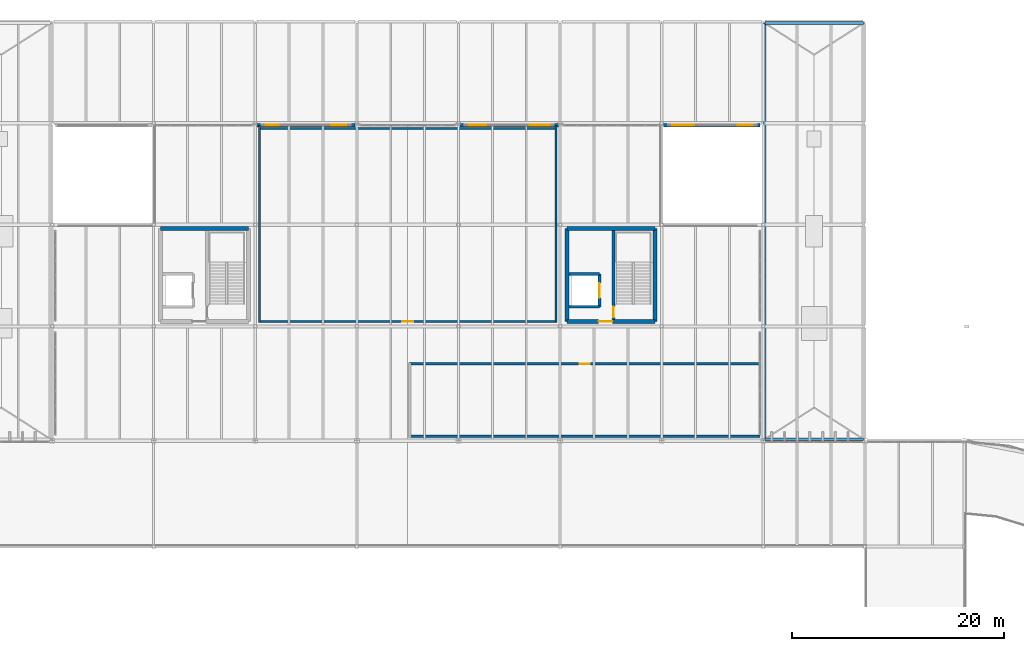
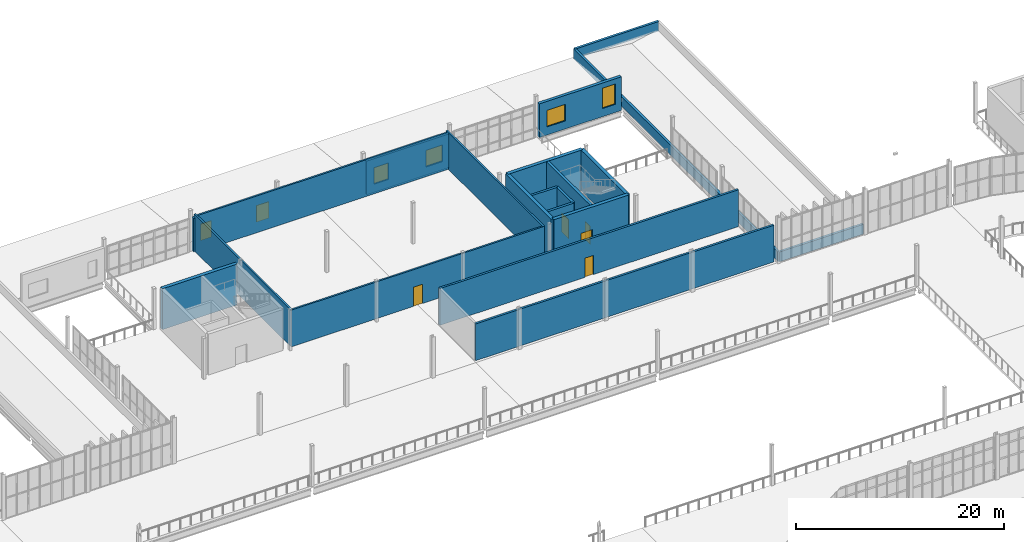
# One storey, part 95 of 112: 21 walls, 6 windows, 5 doors, 11 openings.
"""IFC4 building model written with IfcOpenShell, lengths in metres."""

from ifc_helpers import new_model, si_unit, direction, frame, frame_2d, origin, place, context, subcontext, project, spatial, rectangle, extrude, material, layer, layer_set, type_object, element, fill, save


model = new_model("IFC4")

# Units and contexts
model_context = context("Model", 3, precision=1e-05, world=origin(), true_north=direction((0.0, 1.0)))
body_context = subcontext(model_context, "Body", "Model", "MODEL_VIEW")
ifc_project = project(units=[si_unit("LENGTHUNIT", "METRE"), si_unit("AREAUNIT", "SQUARE_METRE"), si_unit("VOLUMEUNIT", "CUBIC_METRE"), si_unit("PLANEANGLEUNIT", "RADIAN"), si_unit("MASSUNIT", "GRAM", prefix="KILO")], contexts=[model_context])

# Site, building, storey
site_placement = place(None, origin())
site = spatial("IfcSite", under=ifc_project, at=site_placement, CompositionType="ELEMENT")
building_placement = place(site_placement, origin())
building = spatial("IfcBuilding", under=site, at=building_placement, Name="Yeouljin Market Hall", CompositionType="ELEMENT")
storey_placement = place(building_placement, frame((0.0, 0.0, 6.0)))
storey = spatial("IfcBuildingStorey", under=building, at=storey_placement, Name="L01", CompositionType="ELEMENT", Elevation=6.0)

# Wall, opening, door
ifc_material_1 = material(Name="Insulated Cold-Store Panel Assembly")
ifc_layer_1 = layer(ifc_material_1, 0.239990234375)
ifc_layer_set_1 = layer_set([ifc_layer_1], Name="Insulated Cold-Store Panel Assembly")
wall_type_1 = type_object("IfcWallType", Name="Part_ColdStore_240", PredefinedType="PARTITIONING", material=ifc_layer_set_1)
wall_1_placement = place(storey_placement, frame((121.5, 85.25, 0.0), z_axis=(0.0, 0.0, 1.0), x_axis=(-1.0, 0.0, 0.0)))
wall_1 = element("IfcWall", 1, at=wall_1_placement, inside=storey, type_object=wall_type_1, Name="Interior partition PART-L01-0098", PredefinedType="PARTITIONING", context=body_context, shape_type="SweptSolid", body=[
    extrude(rectangle(XDim=33.179931640625, YDim=0.239990234375, at=frame_2d((16.58984375, 0.0))), origin(), (0.0, 0.0, 1.0), 4.320068359375),
])
opening_1_placement = place(wall_1_placement, frame((16.1201171875, 0.0, 0.0)))
opening_1 = element("IfcOpeningElement", 2, at=opening_1_placement, cuts=wall_1, Name="Opening D-L01-031", PredefinedType="OPENING", context=body_context, shape_type="SweptSolid", body=[
    extrude(rectangle(XDim=0.93994140625, YDim=2.260009765625, at=frame_2d((0.469970703125, 1.1298828125))), frame((0.0, 0.1298828125, 0.0), z_axis=(0.0, -1.0, 0.0), x_axis=(1.0, 0.0, 0.0)), (0.0, 0.0, 1.0), 0.260009765625),
])
ifc_material_2 = material(Name="Painted Fire-Rated Steel", Category="steel")
door_type_1 = type_object("IfcDoorType", Name="DT-FD094M", OperationType="NOTDEFINED", PredefinedType="DOOR", material=ifc_material_2)
door_1_placement = place(opening_1_placement, origin())
door_1 = element("IfcDoor", 3, at=door_1_placement, inside=storey, type_object=door_type_1, Name="Interior door D-L01-031 (Dry Spice Cold Store)", OperationType="SINGLE_SWING_LEFT", OverallHeight=2.260009765625, OverallWidth=0.93994140625, PredefinedType="DOOR", context=body_context, shape_type="SweptSolid", body=[
    extrude(rectangle(XDim=0.93994140625, YDim=2.260009765625, at=frame_2d((0.469970703125, 1.1298828125))), frame((0.0, 0.02490234375, 0.0), z_axis=(0.0, -1.0, 0.0), x_axis=(1.0, 0.0, 0.0)), (0.0, 0.0, 1.0), 0.050048828125),
])
fill(opening_1, door_1)

# Wall
wall_2_placement = place(storey_placement, frame((88.320068359375, 78.39990234375, 0.0), z_axis=(0.0, 0.0, 1.0), x_axis=(1.0, 0.0, 0.0)))
element("IfcWall", 4, at=wall_2_placement, inside=storey, type_object=wall_type_1, Name="Interior partition PART-L01-0100", PredefinedType="PARTITIONING", context=body_context, shape_type="SweptSolid", body=[
    extrude(rectangle(XDim=33.159912109375, YDim=0.239990234375, at=frame_2d((16.580078125, 0.0))), origin(), (0.0, 0.0, 1.0), 4.320068359375),
])

# Wall, opening, door
ifc_material_3 = material(Name="Ceramic-Faced Acoustic Partition")
ifc_layer_2 = layer(ifc_material_3, 0.18994140625)
ifc_layer_set_2 = layer_set([ifc_layer_2], Name="Ceramic-Faced Acoustic Partition")
wall_type_2 = type_object("IfcWallType", Name="Part_KitchenTile_190", PredefinedType="PARTITIONING", material=ifc_layer_set_2)
wall_3_placement = place(storey_placement, frame((74.1201171875, 89.25, 0.0), z_axis=(0.0, 0.0, 1.0), x_axis=(1.0, 0.0, 0.0)))
wall_3 = element("IfcWall", 5, at=wall_3_placement, inside=storey, type_object=wall_type_2, Name="Interior partition PART-L01-0101", PredefinedType="PARTITIONING", context=body_context, shape_type="SweptSolid", body=[
    extrude(rectangle(XDim=28.159912109375, YDim=0.18994140625, at=frame_2d((14.080078125, 0.0))), origin(), (0.0, 0.0, 1.0), 4.320068359375),
])
opening_2_placement = place(wall_3_placement, frame((13.56005859375, 0.0, 0.0)))
opening_2 = element("IfcOpeningElement", 6, at=opening_2_placement, cuts=wall_3, Name="Opening D-L01-032", PredefinedType="OPENING", context=body_context, shape_type="SweptSolid", body=[
    extrude(rectangle(XDim=1.0400390625, YDim=2.260009765625, at=frame_2d((0.52001953125, 1.1298828125))), frame((0.0, 0.10498046875, 0.0), z_axis=(0.0, -1.0, 0.0), x_axis=(1.0, 0.0, 0.0)), (0.0, 0.0, 1.0), 0.2099609375),
])
ifc_material_4 = material(Name="Painted Fire-Rated Steel", Category="steel")
door_type_2 = type_object("IfcDoorType", Name="DT-FD104M", OperationType="NOTDEFINED", PredefinedType="DOOR", material=ifc_material_4)
door_2_placement = place(opening_2_placement, origin())
door_2 = element("IfcDoor", 7, at=door_2_placement, inside=storey, type_object=door_type_2, Name="Interior door D-L01-032 (Merchants Quality Testing Laboratory)", OperationType="SINGLE_SWING_RIGHT", OverallHeight=2.260009765625, OverallWidth=1.0400390625, PredefinedType="DOOR", context=body_context, shape_type="SweptSolid", body=[
    extrude(rectangle(XDim=1.0400390625, YDim=2.260009765625, at=frame_2d((0.52001953125, 1.1298828125))), frame((0.0, 0.02490234375, 0.0), z_axis=(0.0, -1.0, 0.0), x_axis=(1.0, 0.0, 0.0)), (0.0, 0.0, 1.0), 0.050048828125),
])
fill(opening_2, door_2)

# Walls
for number, where, z_axis, x_axis, name in (
    (8, (102.199951171875, 89.169921875, 0.0), (0.0, 0.0, 1.0), (0.0, 1.0, 0.0), "Interior partition PART-L01-0102"),
    (9, (74.199951171875, 107.800048828125, 0.0), (0.0, 0.0, 1.0), (0.0, -1.0, 0.0), "Interior partition PART-L01-0103"),
):
    element("IfcWall", number, at=place(storey_placement, frame(where, z_axis=z_axis, x_axis=x_axis)), inside=storey, type_object=wall_type_2, Name=name, PredefinedType="PARTITIONING", context=body_context, shape_type="SweptSolid", body=[
        extrude(rectangle(XDim=18.630126953125, YDim=0.18994140625, at=frame_2d((9.31494140625, 0.0))), origin(), (0.0, 0.0, 1.0), 4.320068359375),
    ])
wall_4_placement = place(storey_placement, frame((102.280029296875, 107.5, 0.0), z_axis=(0.0, 0.0, 1.0), x_axis=(-1.0, 0.0, 0.0)))
element("IfcWall", 10, at=wall_4_placement, inside=storey, type_object=wall_type_2, Name="Interior partition PART-L01-0104", PredefinedType="PARTITIONING", context=body_context, shape_type="SweptSolid", body=[
    extrude(rectangle(XDim=28.159912109375, YDim=0.18994140625, at=frame_2d((14.080078125, 0.0))), origin(), (0.0, 0.0, 1.0), 4.320068359375),
])

# Wall, opening, door
ifc_material_5 = material(Name="Concrete C35/45", Category="concrete")
ifc_layer_3 = layer(ifc_material_5, 0.260009765625)
ifc_layer_set_3 = layer_set([ifc_layer_3], Name="Concrete C35/45")
wall_type_3 = type_object("IfcWallType", Name="Wall_Compartment_260", PredefinedType="SHEAR", material=ifc_layer_set_3)
wall_5_placement = place(storey_placement, frame((106.330078125, 90.64990234375, 0.0), z_axis=(0.0, 0.0, 1.0), x_axis=(0.0, 1.0, 0.0)))
wall_5 = element("IfcWall", 11, at=wall_5_placement, inside=storey, type_object=wall_type_3, Name="Lift LG-02 hoistway front wall (L01)", PredefinedType="SHEAR", context=body_context, shape_type="SweptSolid", body=[
    extrude(rectangle(XDim=3.10009765625, YDim=0.260009765625, at=frame_2d((1.550048828125, 0.0))), origin(), (0.0, 0.0, 1.0), 4.800048828125),
])
opening_3_placement = place(wall_5_placement, frame((0.85009765625, 0.0, 0.0)))
opening_3 = element("IfcOpeningElement", 12, at=opening_3_placement, cuts=wall_5, Name="Opening LD-LG-02-L01", PredefinedType="OPENING", context=body_context, shape_type="SweptSolid", body=[
    extrude(rectangle(XDim=1.39990234375, YDim=2.25, at=frame_2d((0.699951171875, 1.125))), frame((0.0, 0.139892578125, 0.0), z_axis=(0.0, -1.0, 0.0), x_axis=(1.0, 0.0, 0.0)), (0.0, 0.0, 1.0), 0.280029296875),
])
ifc_material_6 = material(Name="Brushed Stainless Steel", Category="steel")
door_type_3 = type_object("IfcDoorType", Name="LD-140", OperationType="SLIDING_TO_RIGHT", PredefinedType="DOOR", material=ifc_material_6)
door_3_placement = place(opening_3_placement, origin())
door_3 = element("IfcDoor", 13, at=door_3_placement, inside=storey, type_object=door_type_3, Name="Lift landing sliding door LD-LG-02-L01", OperationType="SLIDING_TO_RIGHT", OverallHeight=2.25, OverallWidth=1.39990234375, PredefinedType="DOOR", context=body_context, shape_type="SweptSolid", body=[
    extrude(rectangle(XDim=1.39990234375, YDim=2.25, at=frame_2d((0.699951171875, 1.125))), frame((0.0, 0.02490234375, 0.0), z_axis=(0.0, -1.0, 0.0), x_axis=(1.0, 0.0, 0.0)), (0.0, 0.0, 1.0), 0.050048828125),
])
fill(opening_3, door_3)

# Walls
for number, where, z_axis, x_axis, name in (
    (14, (103.449951171875, 90.64990234375, 0.0), (0.0, 0.0, 1.0), (1.0, 0.0, 0.0), "Lift LG-02 shaft cheek wall S (L01)"),
    (15, (103.449951171875, 93.75, 0.0), (0.0, 0.0, 1.0), (1.0, 0.0, 0.0), "Lift LG-02 shaft cheek wall N (L01)"),
):
    element("IfcWall", number, at=place(storey_placement, frame(where, z_axis=z_axis, x_axis=x_axis)), inside=storey, type_object=wall_type_3, Name=name, PredefinedType="SHEAR", context=body_context, shape_type="SweptSolid", body=[
        extrude(rectangle(XDim=2.880126953125, YDim=0.260009765625, at=frame_2d((1.43994140625, 0.0))), origin(), (0.0, 0.0, 1.0), 4.800048828125),
    ])
ifc_material_7 = material(Name="Concrete C35/45", Category="concrete")
ifc_layer_4 = layer(ifc_material_7, 0.3798828125)
ifc_layer_set_4 = layer_set([ifc_layer_4], Name="Concrete C35/45")
wall_type_4 = type_object("IfcWallType", Name="Wall_CoreShear_380", PredefinedType="SHEAR", material=ifc_layer_set_4)
wall_6_placement = place(storey_placement, frame((73.14990234375, 98.050048828125, 0.0), z_axis=(0.0, 0.0, 1.0), x_axis=(-1.0, 0.0, 0.0)))
element("IfcWall", 16, at=wall_6_placement, inside=storey, type_object=wall_type_4, Name="Core C5 north shear wall (L01)", PredefinedType="SHEAR", context=body_context, shape_type="SweptSolid", body=[
    extrude(rectangle(XDim=8.2998046875, YDim=0.3798828125, at=frame_2d((4.14990234375, 0.0))), origin(), (0.0, 0.0, 1.0), 4.800048828125),
])

# Wall, opening, door
wall_7_placement = place(storey_placement, frame((103.25, 89.25, 0.0), z_axis=(0.0, 0.0, 1.0), x_axis=(1.0, 0.0, 0.0)))
wall_7 = element("IfcWall", 17, at=wall_7_placement, inside=storey, type_object=wall_type_4, Name="Core C6 south shear wall (L01)", PredefinedType="SHEAR", context=body_context, shape_type="SweptSolid", body=[
    extrude(rectangle(XDim=8.300048828125, YDim=0.3798828125, at=frame_2d((4.14990234375, 0.0))), origin(), (0.0, 0.0, 1.0), 4.800048828125),
])
opening_4_placement = place(wall_7_placement, frame((3.0, 0.0, 0.0)))
opening_4 = element("IfcOpeningElement", 18, at=opening_4_placement, cuts=wall_7, Name="Opening FD-C6-L01-01", PredefinedType="OPENING", context=body_context, shape_type="SweptSolid", body=[
    extrude(rectangle(XDim=1.280029296875, YDim=2.14990234375, at=frame_2d((0.64013671875, 1.074951171875))), frame((0.0, 0.199951171875, 0.0), z_axis=(0.0, -1.0, 0.0), x_axis=(1.0, 0.0, 0.0)), (0.0, 0.0, 1.0), 0.39990234375),
])
ifc_material_8 = material(Name="Painted Fire-Rated Steel", Category="steel")
door_type_4 = type_object("IfcDoorType", Name="DT-FD128", OperationType="NOTDEFINED", PredefinedType="DOOR", material=ifc_material_8)
door_4_placement = place(opening_4_placement, origin())
door_4 = element("IfcDoor", 19, at=door_4_placement, inside=storey, type_object=door_type_4, Name="Core C6 lobby fire door (L01)", OperationType="SINGLE_SWING_LEFT", OverallHeight=2.14990234375, OverallWidth=1.280029296875, PredefinedType="DOOR", context=body_context, shape_type="SweptSolid", body=[
    extrude(rectangle(XDim=1.280029296875, YDim=2.14990234375, at=frame_2d((0.64013671875, 1.074951171875))), frame((0.0, 0.02490234375, 0.0), z_axis=(0.0, -1.0, 0.0), x_axis=(1.0, 0.0, 0.0)), (0.0, 0.0, 1.0), 0.050048828125),
])
fill(opening_4, door_4)

# Walls
wall_8_placement = place(storey_placement, frame((111.550048828125, 98.050048828125, 0.0), z_axis=(0.0, 0.0, 1.0), x_axis=(-1.0, 0.0, 0.0)))
element("IfcWall", 20, at=wall_8_placement, inside=storey, type_object=wall_type_4, Name="Core C6 north shear wall (L01)", PredefinedType="SHEAR", context=body_context, shape_type="SweptSolid", body=[
    extrude(rectangle(XDim=8.300048828125, YDim=0.3798828125, at=frame_2d((4.14990234375, 0.0))), origin(), (0.0, 0.0, 1.0), 4.800048828125),
])
for number, where, z_axis, x_axis, name in (
    (21, (103.25, 98.050048828125, 0.0), (0.0, 0.0, 1.0), (0.0, -1.0, 0.0), "Core C6 west shear wall (L01)"),
    (22, (111.550048828125, 89.25, 0.0), (0.0, 0.0, 1.0), (0.0, 1.0, 0.0), "Core C6 east shear wall (L01)"),
):
    element("IfcWall", number, at=place(storey_placement, frame(where, z_axis=z_axis, x_axis=x_axis)), inside=storey, type_object=wall_type_4, Name=name, PredefinedType="SHEAR", context=body_context, shape_type="SweptSolid", body=[
        extrude(rectangle(XDim=8.800048828125, YDim=0.3798828125, at=frame_2d((4.39990234375, 0.0))), origin(), (0.0, 0.0, 1.0), 4.800048828125),
    ])

# Wall, openings, windows
ifc_material_9 = material(Name="Clinker Brick Masonry F2-S2", Category="masonry")
ifc_layer_5 = layer(ifc_material_9, 0.330078125)
ifc_layer_set_5 = layer_set([ifc_layer_5], Name="Clinker Brick Masonry F2-S2")
wall_type_5 = type_object("IfcWallType", Name="Wall_Ext_ClinkerCavity_330", PredefinedType="SOLIDWALL", material=ifc_layer_set_5)
wall_9_placement = place(storey_placement, frame((73.9580078125, 107.800048828125, 0.0), z_axis=(0.0, 0.0, 1.0), x_axis=(1.0, 0.0, 0.0)))
wall_9 = element("IfcWall", 23, at=wall_9_placement, inside=storey, type_object=wall_type_5, Name="Exterior wall WE-L01-B19", PredefinedType="SOLIDWALL", context=body_context, shape_type="SweptSolid", body=[
    extrude(rectangle(XDim=9.285888671875, YDim=0.330078125, at=frame_2d((4.64306640625, 0.0))), origin(), (0.0, 0.0, 1.0), 3.949951171875),
])
opening_5_placement = place(wall_9_placement, frame((0.842041015625, 0.0, 0.949951171875)))
opening_5 = element("IfcOpeningElement", 24, at=opening_5_placement, cuts=wall_9, Name="Opening WN-48", PredefinedType="OPENING", context=body_context, shape_type="SweptSolid", body=[
    extrude(rectangle(XDim=1.199951171875, YDim=1.949951171875, at=frame_2d((0.60009765625, 0.97509765625))), frame((0.0, 0.175048828125, 0.0), z_axis=(0.0, -1.0, 0.0), x_axis=(1.0, 0.0, 0.0)), (0.0, 0.0, 1.0), 0.35009765625),
])
opening_6_placement = place(wall_9_placement, frame((7.0419921875, 0.0, 0.949951171875)))
opening_6 = element("IfcOpeningElement", 25, at=opening_6_placement, cuts=wall_9, Name="Opening WN-49", PredefinedType="OPENING", context=body_context, shape_type="SweptSolid", body=[
    extrude(rectangle(XDim=1.39990234375, YDim=1.949951171875, at=frame_2d((0.699951171875, 0.97509765625))), frame((0.0, 0.175048828125, 0.0), z_axis=(0.0, -1.0, 0.0), x_axis=(1.0, 0.0, 0.0)), (0.0, 0.0, 1.0), 0.35009765625),
])
ifc_material_10 = material(Name="Low-E Insulated Glass", Category="glass")
window_type_1 = type_object("IfcWindowType", Name="Win_Ladder_1200x1950", PartitioningType="DOUBLE_PANEL_HORIZONTAL", PredefinedType="WINDOW", material=ifc_material_10)
window_1_placement = place(opening_5_placement, origin())
window_1 = element("IfcWindow", 26, at=window_1_placement, inside=storey, type_object=window_type_1, Name="Exterior window WIN-L01-B19A", OverallHeight=1.949951171875, OverallWidth=1.199951171875, PartitioningType="SINGLE_PANEL", PredefinedType="WINDOW", context=body_context, shape_type="SweptSolid", body=[
    extrude(rectangle(XDim=1.199951171875, YDim=1.949951171875, at=frame_2d((0.60009765625, 0.97509765625))), frame((0.0, 0.030029296875, 0.0), z_axis=(0.0, -1.0, 0.0), x_axis=(1.0, 0.0, 0.0)), (0.0, 0.0, 1.0), 0.06005859375),
])
fill(opening_5, window_1)
ifc_material_11 = material(Name="Low-E Insulated Glass", Category="glass")
window_type_2 = type_object("IfcWindowType", Name="Win_Ladder_1400x1950", PartitioningType="DOUBLE_PANEL_HORIZONTAL", PredefinedType="WINDOW", material=ifc_material_11)
window_2_placement = place(opening_6_placement, origin())
window_2 = element("IfcWindow", 27, at=window_2_placement, inside=storey, type_object=window_type_2, Name="Exterior window WIN-L01-B19B", OverallHeight=1.949951171875, OverallWidth=1.39990234375, PartitioningType="SINGLE_PANEL", PredefinedType="WINDOW", context=body_context, shape_type="SweptSolid", body=[
    extrude(rectangle(XDim=1.39990234375, YDim=1.949951171875, at=frame_2d((0.699951171875, 0.97509765625))), frame((0.0, 0.030029296875, 0.0), z_axis=(0.0, -1.0, 0.0), x_axis=(1.0, 0.0, 0.0)), (0.0, 0.0, 1.0), 0.06005859375),
])
fill(opening_6, window_2)

wall_10_placement = place(storey_placement, frame((93.157958984375, 107.800048828125, 0.0), z_axis=(0.0, 0.0, 1.0), x_axis=(1.0, 0.0, 0.0)))
wall_10 = element("IfcWall", 28, at=wall_10_placement, inside=storey, type_object=wall_type_5, Name="Exterior wall WE-L01-B21", PredefinedType="SOLIDWALL", context=body_context, shape_type="SweptSolid", body=[
    extrude(rectangle(XDim=9.283935546875, YDim=0.330078125, at=frame_2d((4.64208984375, 0.0))), origin(), (0.0, 0.0, 1.0), 3.949951171875),
])
opening_7_placement = place(wall_10_placement, frame((0.842041015625, 0.0, 0.949951171875)))
opening_7 = element("IfcOpeningElement", 29, at=opening_7_placement, cuts=wall_10, Name="Opening WN-50", PredefinedType="OPENING", context=body_context, shape_type="SweptSolid", body=[
    extrude(rectangle(XDim=1.60009765625, YDim=1.949951171875, at=frame_2d((0.800048828125, 0.97509765625))), frame((0.0, 0.175048828125, 0.0), z_axis=(0.0, -1.0, 0.0), x_axis=(1.0, 0.0, 0.0)), (0.0, 0.0, 1.0), 0.35009765625),
])
opening_8_placement = place(wall_10_placement, frame((6.592041015625, 0.0, 0.949951171875)))
opening_8 = element("IfcOpeningElement", 30, at=opening_8_placement, cuts=wall_10, Name="Opening WN-51", PredefinedType="OPENING", context=body_context, shape_type="SweptSolid", body=[
    extrude(rectangle(XDim=1.85009765625, YDim=1.949951171875, at=frame_2d((0.925048828125, 0.97509765625))), frame((0.0, 0.175048828125, 0.0), z_axis=(0.0, -1.0, 0.0), x_axis=(1.0, 0.0, 0.0)), (0.0, 0.0, 1.0), 0.35009765625),
])
ifc_material_12 = material(Name="Low-E Insulated Glass", Category="glass")
window_type_3 = type_object("IfcWindowType", Name="Win_Ladder_1600x1950", PartitioningType="DOUBLE_PANEL_HORIZONTAL", PredefinedType="WINDOW", material=ifc_material_12)
window_3_placement = place(opening_7_placement, origin())
window_3 = element("IfcWindow", 31, at=window_3_placement, inside=storey, type_object=window_type_3, Name="Exterior window WIN-L01-B21A", OverallHeight=1.949951171875, OverallWidth=1.60009765625, PartitioningType="SINGLE_PANEL", PredefinedType="WINDOW", context=body_context, shape_type="SweptSolid", body=[
    extrude(rectangle(XDim=1.60009765625, YDim=1.949951171875, at=frame_2d((0.800048828125, 0.97509765625))), frame((0.0, 0.030029296875, 0.0), z_axis=(0.0, -1.0, 0.0), x_axis=(1.0, 0.0, 0.0)), (0.0, 0.0, 1.0), 0.06005859375),
])
fill(opening_7, window_3)
ifc_material_13 = material(Name="Low-E Insulated Glass", Category="glass")
window_type_4 = type_object("IfcWindowType", Name="Win_Ladder_1850x1950", PartitioningType="TRIPLE_PANEL_VERTICAL", PredefinedType="WINDOW", material=ifc_material_13)
window_4_placement = place(opening_8_placement, origin())
window_4 = element("IfcWindow", 32, at=window_4_placement, inside=storey, type_object=window_type_4, Name="Exterior window WIN-L01-B21B", OverallHeight=1.949951171875, OverallWidth=1.85009765625, PartitioningType="SINGLE_PANEL", PredefinedType="WINDOW", context=body_context, shape_type="SweptSolid", body=[
    extrude(rectangle(XDim=1.85009765625, YDim=1.949951171875, at=frame_2d((0.925048828125, 0.97509765625))), frame((0.0, 0.030029296875, 0.0), z_axis=(0.0, -1.0, 0.0), x_axis=(1.0, 0.0, 0.0)), (0.0, 0.0, 1.0), 0.06005859375),
])
fill(opening_8, window_4)

wall_11_placement = place(storey_placement, frame((112.35791015625, 107.800048828125, 0.0), z_axis=(0.0, 0.0, 1.0), x_axis=(1.0, 0.0, 0.0)))
wall_11 = element("IfcWall", 33, at=wall_11_placement, inside=storey, type_object=wall_type_5, Name="Exterior wall WE-L01-B23", PredefinedType="SOLIDWALL", context=body_context, shape_type="SweptSolid", body=[
    extrude(rectangle(XDim=9.14208984375, YDim=0.330078125, at=frame_2d((4.571044921875, 0.0))), origin(), (0.0, 0.0, 1.0), 3.949951171875),
])
opening_9_placement = place(wall_11_placement, frame((0.842041015625, 0.0, 0.949951171875)))
opening_9 = element("IfcOpeningElement", 34, at=opening_9_placement, cuts=wall_11, Name="Opening WN-52", PredefinedType="OPENING", context=body_context, shape_type="SweptSolid", body=[
    extrude(rectangle(XDim=2.050048828125, YDim=1.949951171875, at=frame_2d((1.02490234375, 0.97509765625))), frame((0.0, 0.175048828125, 0.0), z_axis=(0.0, -1.0, 0.0), x_axis=(1.0, 0.0, 0.0)), (0.0, 0.0, 1.0), 0.35009765625),
])
opening_10_placement = place(wall_11_placement, frame((7.0419921875, 0.0, 0.949951171875)))
opening_10 = element("IfcOpeningElement", 35, at=opening_10_placement, cuts=wall_11, Name="Opening WN-27", PredefinedType="OPENING", context=body_context, shape_type="SweptSolid", body=[
    extrude(rectangle(XDim=1.39990234375, YDim=2.39990234375, at=frame_2d((0.699951171875, 1.199951171875))), frame((0.0, 0.175048828125, 0.0), z_axis=(0.0, -1.0, 0.0), x_axis=(1.0, 0.0, 0.0)), (0.0, 0.0, 1.0), 0.35009765625),
])
ifc_material_14 = material(Name="Low-E Insulated Glass", Category="glass")
window_type_5 = type_object("IfcWindowType", Name="Win_Ladder_1400x2400", PartitioningType="DOUBLE_PANEL_HORIZONTAL", PredefinedType="WINDOW", material=ifc_material_14)
window_5_placement = place(opening_10_placement, origin())
window_5 = element("IfcWindow", 36, at=window_5_placement, inside=storey, type_object=window_type_5, Name="Exterior window WIN-L01-B23B", OverallHeight=2.39990234375, OverallWidth=1.39990234375, PartitioningType="SINGLE_PANEL", PredefinedType="WINDOW", context=body_context, shape_type="SweptSolid", body=[
    extrude(rectangle(XDim=1.39990234375, YDim=2.39990234375, at=frame_2d((0.699951171875, 1.199951171875))), frame((0.0, 0.030029296875, 0.0), z_axis=(0.0, -1.0, 0.0), x_axis=(1.0, 0.0, 0.0)), (0.0, 0.0, 1.0), 0.06005859375),
])
fill(opening_10, window_5)
ifc_material_15 = material(Name="Low-E Insulated Glass", Category="glass")
window_type_6 = type_object("IfcWindowType", Name="Win_Ladder_2050x1950", PartitioningType="TRIPLE_PANEL_VERTICAL", PredefinedType="WINDOW", material=ifc_material_15)
window_6_placement = place(opening_9_placement, origin())
window_6 = element("IfcWindow", 37, at=window_6_placement, inside=storey, type_object=window_type_6, Name="Exterior window WIN-L01-B23A", OverallHeight=1.949951171875, OverallWidth=2.050048828125, PartitioningType="SINGLE_PANEL", PredefinedType="WINDOW", context=body_context, shape_type="SweptSolid", body=[
    extrude(rectangle(XDim=2.050048828125, YDim=1.949951171875, at=frame_2d((1.02490234375, 0.97509765625))), frame((0.0, 0.030029296875, 0.0), z_axis=(0.0, -1.0, 0.0), x_axis=(1.0, 0.0, 0.0)), (0.0, 0.0, 1.0), 0.06005859375),
])
fill(opening_9, window_6)

# Walls
ifc_material_16 = material(Name="Pocheon Granite Stone", Category="masonry")
ifc_layer_6 = layer(ifc_material_16, 0.260009765625)
ifc_layer_set_6 = layer_set([ifc_layer_6], Name="Pocheon Granite Stone")
wall_type_6 = type_object("IfcWallType", Name="Wall_Parapet_Granite_260", PredefinedType="PARAPET", material=ifc_layer_set_6)
for number, where, z_axis, x_axis, name in (
    (38, (121.93994140625, 78.139892578125, 0.010009765625), (0.0, 0.0, 1.0), (1.0, 0.0, 0.0), "Roof parapet RSLB-V4-L01E-1"),
    (39, (131.260009765625, 117.4599609375, 0.010009765625), (0.0, 0.0, 1.0), (-1.0, 0.0, 0.0), "Roof parapet RSLB-V4-L01E-3"),
):
    element("IfcWall", number, at=place(storey_placement, frame(where, z_axis=z_axis, x_axis=x_axis)), inside=storey, type_object=wall_type_6, Name=name, PredefinedType="PARAPET", context=body_context, shape_type="SweptSolid", body=[
        extrude(rectangle(XDim=9.320068359375, YDim=0.260009765625, at=frame_2d((4.66015625, 0.0))), origin(), (0.0, 0.0, 1.0), 1.14990234375),
    ])
wall_12_placement = place(storey_placement, frame((121.93994140625, 117.4599609375, 0.010009765625), z_axis=(0.0, 0.0, 1.0), x_axis=(0.0, -1.0, 0.0)))
element("IfcWall", 40, at=wall_12_placement, inside=storey, type_object=wall_type_6, Name="Roof parapet RSLB-V4-L01E-4", PredefinedType="PARAPET", context=body_context, shape_type="SweptSolid", body=[
    extrude(rectangle(XDim=39.320068359375, YDim=0.260009765625, at=frame_2d((19.66015625, 0.0))), origin(), (0.0, 0.0, 1.0), 1.14990234375),
])

# Wall, opening, door
ifc_material_17 = material(Name="Concrete C35/45", Category="concrete")
ifc_layer_7 = layer(ifc_material_17, 0.300048828125)
ifc_layer_set_7 = layer_set([ifc_layer_7], Name="Concrete C35/45")
wall_type_7 = type_object("IfcWallType", Name="Wall_ShaftShear_300", PredefinedType="SHEAR", material=ifc_layer_set_7)
wall_13_placement = place(storey_placement, frame((107.64990234375, 89.449951171875, 0.0), z_axis=(0.0, 0.0, 1.0), x_axis=(0.0, 1.0, 0.0)))
wall_13 = element("IfcWall", 41, at=wall_13_placement, inside=storey, type_object=wall_type_7, Name="Core C6 stairwell divider wall (L01)", PredefinedType="SHEAR", context=body_context, shape_type="SweptSolid", body=[
    extrude(rectangle(XDim=8.400146484375, YDim=0.300048828125, at=frame_2d((4.2001953125, 0.0))), origin(), (0.0, 0.0, 1.0), 4.800048828125),
])
opening_11_placement = place(wall_13_placement, frame((0.199951171875, 0.0, 0.0)))
opening_11 = element("IfcOpeningElement", 42, at=opening_11_placement, cuts=wall_13, Name="Opening SD-C6-L01", PredefinedType="OPENING", context=body_context, shape_type="SweptSolid", body=[
    extrude(rectangle(XDim=1.02001953125, YDim=2.10009765625, at=frame_2d((0.510009765625, 1.050048828125))), frame((0.0, 0.159912109375, 0.0), z_axis=(0.0, -1.0, 0.0), x_axis=(1.0, 0.0, 0.0)), (0.0, 0.0, 1.0), 0.320068359375),
])
ifc_material_18 = material(Name="Painted Fire-Rated Steel", Category="steel")
door_type_5 = type_object("IfcDoorType", Name="DT-FD102", OperationType="NOTDEFINED", PredefinedType="DOOR", material=ifc_material_18)
door_5_placement = place(opening_11_placement, origin())
door_5 = element("IfcDoor", 43, at=door_5_placement, inside=storey, type_object=door_type_5, Name="Core C6 exit stair door (L01)", OperationType="SINGLE_SWING_RIGHT", OverallHeight=2.10009765625, OverallWidth=1.02001953125, PredefinedType="DOOR", context=body_context, shape_type="SweptSolid", body=[
    extrude(rectangle(XDim=1.02001953125, YDim=2.10009765625, at=frame_2d((0.510009765625, 1.050048828125))), frame((0.0, 0.02490234375, 0.0), z_axis=(0.0, -1.0, 0.0), x_axis=(1.0, 0.0, 0.0)), (0.0, 0.0, 1.0), 0.050048828125),
])
fill(opening_11, door_5)

save(model, "model.ifc")
